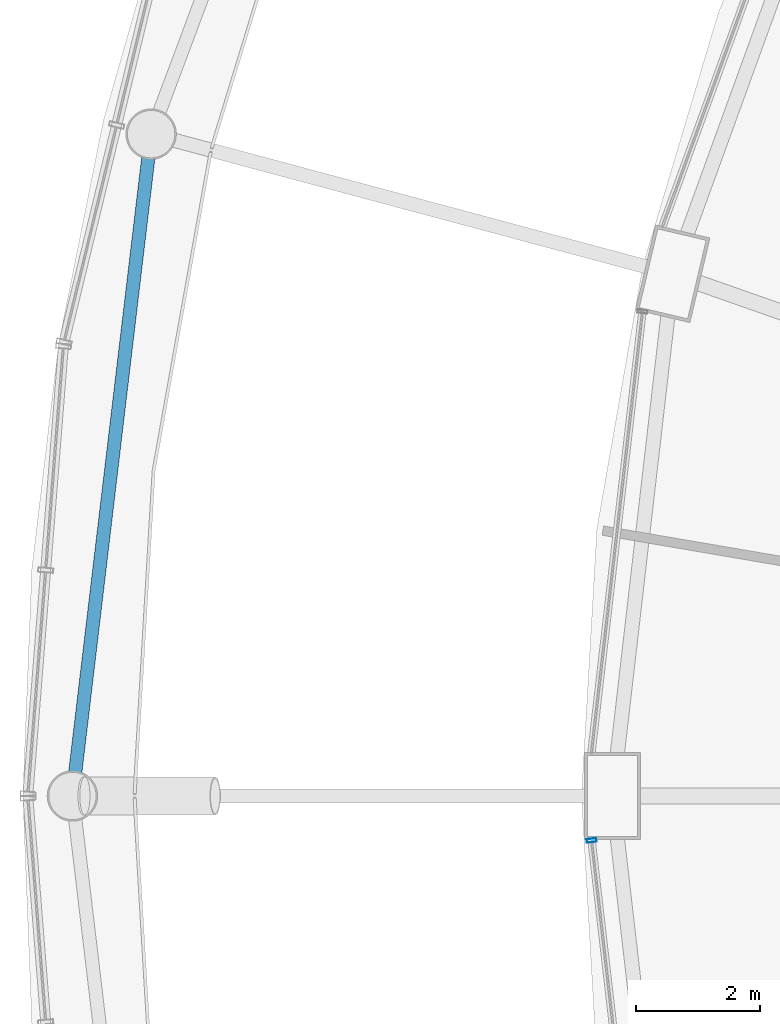
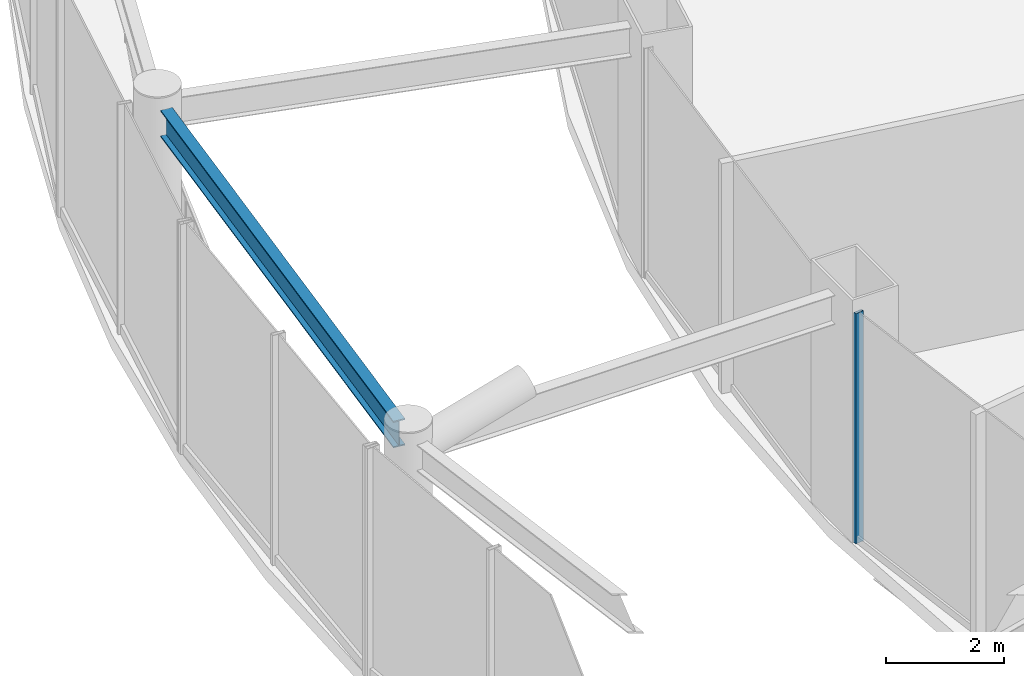
# One storey, part 19 of 52: 1 beam, 1 member, 1 element without a shape of its own.
"""IFC4 building model written with IfcOpenShell, lengths in metres."""

from ifc_helpers import new_model, si_unit, direction, frame, origin, origin_2d, place, context, subcontext, project, spatial, hollow_rectangle, i_section, extrude, material, layer, layer_set, material_profile, profile_set, type_object, element, aggregate, save


model = new_model("IFC4")

# Units and contexts
model_context = context("Model", 3, precision=1e-05, world=origin(), true_north=direction((0.0, 1.0)))
body_context = subcontext(model_context, "Body", "Model", "MODEL_VIEW")
ifc_project = project(units=[si_unit("LENGTHUNIT", "METRE"), si_unit("AREAUNIT", "SQUARE_METRE"), si_unit("VOLUMEUNIT", "CUBIC_METRE"), si_unit("PLANEANGLEUNIT", "RADIAN"), si_unit("MASSUNIT", "GRAM", prefix="KILO")], contexts=[model_context])

# Site, building, storey
site_placement = place(None, origin())
site = spatial("IfcSite", under=ifc_project, at=site_placement, CompositionType="ELEMENT")
building_placement = place(site_placement, origin())
building = spatial("IfcBuilding", under=site, at=building_placement, Name="Nagisa Residences", CompositionType="ELEMENT")
storey_placement = place(building_placement, frame((0.0, 0.0, 22.0)))
storey = spatial("IfcBuildingStorey", under=building, at=storey_placement, Name="L04", CompositionType="ELEMENT", Elevation=22.0)

# Beam
ifc_material_1 = material(Name="Steel ASTM A572 Gr 50", Category="steel")
ifc_material_profile_1 = material_profile(ifc_material_1, i_section(OverallWidth=0.214111328125, OverallDepth=0.549072265625, WebThickness=0.0146484375, FlangeThickness=0.023681640625, at=origin_2d()), Name="W530x138")
ifc_profile_set_1 = profile_set([ifc_material_profile_1], Name="Steel ASTM A572 Gr 50")
beam_type = type_object("IfcBeamType", Name="Atrium ring beam W530x138", PredefinedType="BEAM", material=ifc_profile_set_1)
beam_placement = place(storey_placement, frame((-32.378173828125, 10.279541015625, 4.4755859375), z_axis=(-0.118035165542, -0.993009415713, 0.0), x_axis=(0.993009415713, -0.118035165542, 0.0)))
element("IfcBeam", 1, at=beam_placement, inside=storey, type_object=beam_type, Name="beam:L04:rab12", PredefinedType="BEAM", context=body_context, shape_type="SweptSolid", body=[
    extrude(i_section(OverallWidth=0.214111328125, OverallDepth=0.549072265625, WebThickness=0.0146484375, FlangeThickness=0.023681640625, at=origin_2d()), origin(), (0.0, 0.0, 1.0), 9.96533203125),
])

# Curtain wall, member
ifc_material_2 = material(Name="Stainless steel curtain wall system", Category="steel")
ifc_layer = layer(ifc_material_2, 0.159912109375)
ifc_layer_set = layer_set([ifc_layer], Name="CW6 CURTAIN WALL")
curtain_wall_type = type_object("IfcCurtainWallType", Name="CW6 CURTAIN WALL", PredefinedType="NOTDEFINED", material=ifc_layer_set)
curtain_wall_placement = place(storey_placement, origin())
curtain_wall = element("IfcCurtainWall", 2, at=curtain_wall_placement, inside=storey, type_object=curtain_wall_type, Name="cw:CW6:L04:24", PredefinedType="NOTDEFINED")
ifc_material_3 = material(Name="Stainless steel", Category="steel")
ifc_material_profile_2 = material_profile(ifc_material_3, hollow_rectangle(XDim=0.159912109375, YDim=0.06005859375, WallThickness=0.006103515625, at=origin_2d()), Name="CW6 MULLION 160x60")
ifc_profile_set_2 = profile_set([ifc_material_profile_2], Name="Stainless steel")
member_type = type_object("IfcMemberType", Name="CW6 MULLION 160x60", PredefinedType="MULLION", material=ifc_profile_set_2)
member_placement = place(storey_placement, frame((-25.236572265625, -0.716064453125, 0.0), z_axis=(0.0, 0.0, 1.0), x_axis=(0.993373823596, 0.114928006139, 0.0)))
member = element("IfcMember", 3, at=member_placement, type_object=member_type, Name="CW6 mullion", PredefinedType="MULLION", context=body_context, shape_type="SweptSolid", body=[
    extrude(hollow_rectangle(XDim=0.159912109375, YDim=0.06005859375, WallThickness=0.006103515625, at=origin_2d()), origin(), (0.0, 0.0, 1.0), 4.739990234375),
])
aggregate(curtain_wall, [member])

save(model, "model.ifc")
